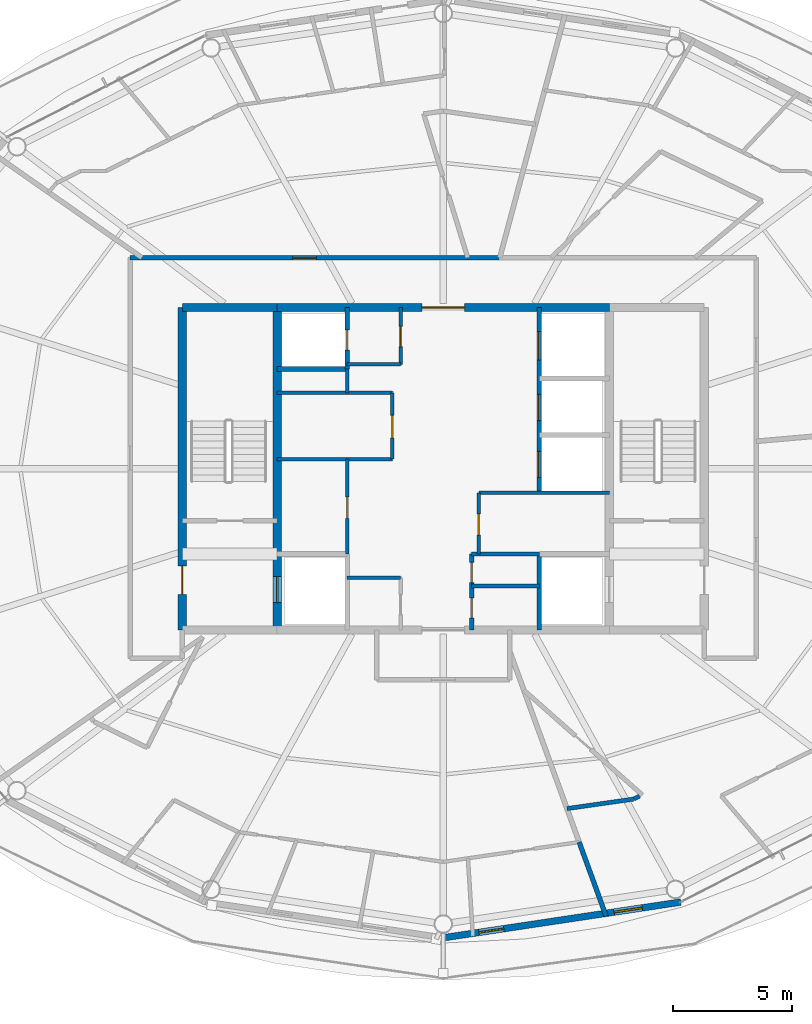
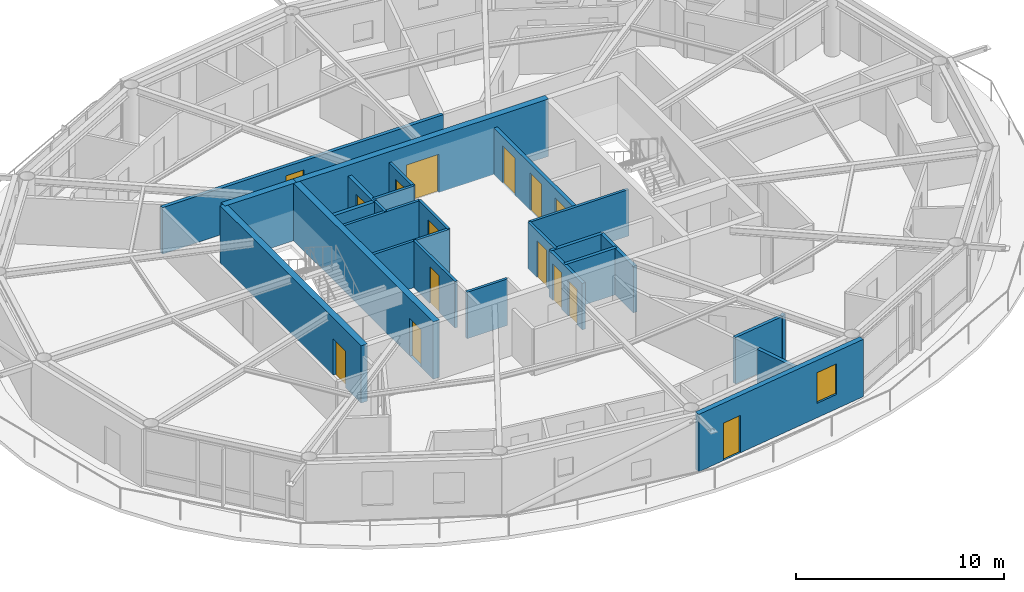
# One storey, part 17 of 23: 26 walls, 15 doors, 1 window, 16 openings.
"""IFC4 building model written with IfcOpenShell, lengths in metres."""

from ifc_helpers import new_model, si_unit, direction, frame, frame_2d, origin, place, context, subcontext, project, spatial, rectangle, extrude, material, layer, layer_set, type_object, element, fill, save


model = new_model("IFC4")

# Units and contexts
model_context = context("Model", 3, precision=1e-05, world=origin(), true_north=direction((0.0, 1.0)))
body_context = subcontext(model_context, "Body", "Model", "MODEL_VIEW")
ifc_project = project(units=[si_unit("LENGTHUNIT", "METRE"), si_unit("AREAUNIT", "SQUARE_METRE"), si_unit("VOLUMEUNIT", "CUBIC_METRE"), si_unit("PLANEANGLEUNIT", "RADIAN"), si_unit("MASSUNIT", "GRAM", prefix="KILO")], contexts=[model_context])

# Site, building, storey
site_placement = place(None, origin())
site = spatial("IfcSite", under=ifc_project, at=site_placement, CompositionType="ELEMENT")
building_placement = place(site_placement, origin())
building = spatial("IfcBuilding", under=site, at=building_placement, Name="Sarneth Arch Tower", CompositionType="ELEMENT")
storey_placement = place(building_placement, frame((0.0, 0.0, 280.199951171875)))
storey = spatial("IfcBuildingStorey", under=building, at=storey_placement, Name="L72", CompositionType="ELEMENT", Elevation=280.199951171875)

# Wall
ifc_material_1 = material(Name="Concrete C50/60", Category="concrete")
ifc_layer_1 = layer(ifc_material_1, 0.35009765625)
ifc_layer_set_1 = layer_set([ifc_layer_1], Name="Concrete C50/60")
wall_type_1 = type_object("IfcWallType", Name="WALL-CORE-350", PredefinedType="SHEAR", material=ifc_layer_set_1)
wall_1_placement = place(storey_placement, frame((37.0, 48.800048828125, 0.0), z_axis=(0.0, 0.0, 1.0), x_axis=(1.0, 0.0, 0.0)))
element("IfcWall", 1, at=wall_1_placement, inside=storey, type_object=wall_type_1, Name="L72 Core shear wall N-W", PredefinedType="SHEAR", context=body_context, shape_type="SweptSolid", body=[
    extrude(rectangle(XDim=4.0, YDim=0.35009765625, at=frame_2d((2.0, 0.0))), origin(), (0.0, 0.0, 1.0), 3.3701171875),
])

# Wall, opening, door
wall_2_placement = place(storey_placement, frame((41.0, 48.800048828125, 0.0), z_axis=(0.0, 0.0, 1.0), x_axis=(1.0, 0.0, 0.0)))
wall_2 = element("IfcWall", 2, at=wall_2_placement, inside=storey, type_object=wall_type_1, Name="L72 Core shear wall N-M", PredefinedType="SHEAR", context=body_context, shape_type="SweptSolid", body=[
    extrude(rectangle(XDim=14.0, YDim=0.35009765625, at=frame_2d((7.0, 0.0))), origin(), (0.0, 0.0, 1.0), 3.3701171875),
])
opening_1_placement = place(wall_2_placement, frame((6.10009765625, 0.0, 0.0)))
opening_1 = element("IfcOpeningElement", 3, at=opening_1_placement, cuts=wall_2, Name="Opening FD-01", PredefinedType="OPENING", context=body_context, shape_type="SweptSolid", body=[
    extrude(rectangle(XDim=1.800048828125, YDim=2.25, at=frame_2d((0.89990234375, 1.125))), frame((0.0, 0.18505859375, 0.0), z_axis=(0.0, -1.0, 0.0), x_axis=(1.0, 0.0, 0.0)), (0.0, 0.0, 1.0), 0.3701171875),
])
ifc_material_2 = material(Name="Galvanised Steel S275 fire door set", Category="steel")
door_type_1 = type_object("IfcDoorType", Name="DR-FD90-1800", OperationType="DOUBLE_DOOR_SINGLE_SWING", PredefinedType="DOOR", material=ifc_material_2)
door_1_placement = place(opening_1_placement, origin())
door_1 = element("IfcDoor", 4, at=door_1_placement, inside=storey, type_object=door_type_1, Name="L72 Central lift lobby north door", OperationType="DOUBLE_DOOR_SINGLE_SWING", OverallHeight=2.25, OverallWidth=1.800048828125, PredefinedType="DOOR", context=body_context, shape_type="SweptSolid", body=[
    extrude(rectangle(XDim=1.800048828125, YDim=2.25, at=frame_2d((0.89990234375, 1.125))), frame((0.0, 0.02490234375, 0.0), z_axis=(0.0, -1.0, 0.0), x_axis=(1.0, 0.0, 0.0)), (0.0, 0.0, 1.0), 0.050048828125),
])
fill(opening_1, door_1)

wall_3_placement = place(storey_placement, frame((37.0, 35.199951171875, 0.0), z_axis=(0.0, 0.0, 1.0), x_axis=(0.0, 1.0, 0.0)))
wall_3 = element("IfcWall", 5, at=wall_3_placement, inside=storey, type_object=wall_type_1, Name="L72 Core shear wall W", PredefinedType="SHEAR", context=body_context, shape_type="SweptSolid", body=[
    extrude(rectangle(XDim=13.60009765625, YDim=0.35009765625, at=frame_2d((6.800048828125, 0.0))), origin(), (0.0, 0.0, 1.0), 3.3701171875),
])
opening_2_placement = place(wall_3_placement, frame((1.5, 0.0, 0.0)))
opening_2 = element("IfcOpeningElement", 6, at=opening_2_placement, cuts=wall_3, Name="Opening FD-02", PredefinedType="OPENING", context=body_context, shape_type="SweptSolid", body=[
    extrude(rectangle(XDim=1.199951171875, YDim=2.14990234375, at=frame_2d((0.60009765625, 1.074951171875))), frame((0.0, 0.18505859375, 0.0), z_axis=(0.0, -1.0, 0.0), x_axis=(1.0, 0.0, 0.0)), (0.0, 0.0, 1.0), 0.3701171875),
])
ifc_material_3 = material(Name="Galvanised Steel S275 fire door set", Category="steel")
door_type_2 = type_object("IfcDoorType", Name="DR-FD90-1200", OperationType="SINGLE_SWING_LEFT", PredefinedType="DOOR", material=ifc_material_3)
door_2_placement = place(opening_2_placement, origin())
door_2 = element("IfcDoor", 7, at=door_2_placement, inside=storey, type_object=door_type_2, Name="L72 Firefighting lobby 1 exit door", OperationType="SINGLE_SWING_LEFT", OverallHeight=2.14990234375, OverallWidth=1.199951171875, PredefinedType="DOOR", context=body_context, shape_type="SweptSolid", body=[
    extrude(rectangle(XDim=1.199951171875, YDim=2.14990234375, at=frame_2d((0.60009765625, 1.074951171875))), frame((0.0, 0.02490234375, 0.0), z_axis=(0.0, -1.0, 0.0), x_axis=(1.0, 0.0, 0.0)), (0.0, 0.0, 1.0), 0.050048828125),
])
fill(opening_2, door_2)

wall_4_placement = place(storey_placement, frame((41.0, 35.199951171875, 0.0), z_axis=(0.0, 0.0, 1.0), x_axis=(0.0, 1.0, 0.0)))
wall_4 = element("IfcWall", 8, at=wall_4_placement, inside=storey, type_object=wall_type_1, Name="L72 Core shear wall WEB-W", PredefinedType="SHEAR", context=body_context, shape_type="SweptSolid", body=[
    extrude(rectangle(XDim=13.60009765625, YDim=0.35009765625, at=frame_2d((6.800048828125, 0.0))), origin(), (0.0, 0.0, 1.0), 3.3701171875),
])
opening_3_placement = place(wall_4_placement, frame((1.14990234375, 0.0, 0.0)))
opening_3 = element("IfcOpeningElement", 9, at=opening_3_placement, cuts=wall_4, Name="Opening LD-1", PredefinedType="OPENING", context=body_context, shape_type="SweptSolid", body=[
    extrude(rectangle(XDim=1.10009765625, YDim=2.199951171875, at=frame_2d((0.550048828125, 1.10009765625))), frame((0.0, 0.18505859375, 0.0), z_axis=(0.0, -1.0, 0.0), x_axis=(1.0, 0.0, 0.0)), (0.0, 0.0, 1.0), 0.3701171875),
])
ifc_material_4 = material(Name="Brushed Stainless Steel 304 lift landing door", Category="steel")
door_type_3 = type_object("IfcDoorType", Name="DR-LIFT-SLIDE-1100", OperationType="SLIDING_TO_LEFT", PredefinedType="DOOR", material=ifc_material_4)
door_3_placement = place(opening_3_placement, origin())
door_3 = element("IfcDoor", 10, at=door_3_placement, inside=storey, type_object=door_type_3, Name="L72 Firefighting lift landing door FL-1", OperationType="SLIDING_TO_LEFT", OverallHeight=2.199951171875, OverallWidth=1.10009765625, PredefinedType="DOOR", context=body_context, shape_type="SweptSolid", body=[
    extrude(rectangle(XDim=1.10009765625, YDim=2.199951171875, at=frame_2d((0.550048828125, 1.10009765625))), frame((0.0, 0.02490234375, 0.0), z_axis=(0.0, -1.0, 0.0), x_axis=(1.0, 0.0, 0.0)), (0.0, 0.0, 1.0), 0.050048828125),
])
fill(opening_3, door_3)

ifc_material_5 = material(Name="Double steel-stud corridor fire wall", Category="steel")
ifc_layer_2 = layer(ifc_material_5, 0.18994140625)
ifc_layer_set_2 = layer_set([ifc_layer_2], Name="Double steel-stud corridor fire wall")
wall_type_2 = type_object("IfcWallType", Name="WALL-CORR-190", PredefinedType="PARTITIONING", material=ifc_layer_set_2)
wall_5_placement = place(storey_placement, frame((34.800048828125, 50.89990234375, 0.0), z_axis=(0.0, 0.0, 1.0), x_axis=(1.0, 0.0, 0.0)))
wall_5 = element("IfcWall", 11, at=wall_5_placement, inside=storey, type_object=wall_type_2, Name="L72 Interior partition W-L72-TP-005", PredefinedType="PARTITIONING", context=body_context, shape_type="SweptSolid", body=[
    extrude(rectangle(XDim=15.61767578125, YDim=0.18994140625, at=frame_2d((7.808837890625, 0.0))), origin(), (0.0, 0.0, 1.0), 2.72998046875),
])
opening_4_placement = place(wall_5_placement, frame((6.848388671875, 0.0, 0.0)))
opening_4 = element("IfcOpeningElement", 12, at=opening_4_placement, cuts=wall_5, Name="Opening FD-08", PredefinedType="OPENING", context=body_context, shape_type="SweptSolid", body=[
    extrude(rectangle(XDim=1.0, YDim=2.199951171875, at=frame_2d((0.5, 1.10009765625))), frame((0.0, 0.10498046875, 0.0), z_axis=(0.0, -1.0, 0.0), x_axis=(1.0, 0.0, 0.0)), (0.0, 0.0, 1.0), 0.2099609375),
])
ifc_material_6 = material(Name="Hardwood timber acoustic fire door", Category="wood")
door_type_4 = type_object("IfcDoorType", Name="DR-FD60-1000", OperationType="SINGLE_SWING_LEFT", PredefinedType="DOOR", material=ifc_material_6)
door_4_placement = place(opening_4_placement, origin())
door_4 = element("IfcDoor", 13, at=door_4_placement, inside=storey, type_object=door_type_4, Name="L72 Interior door DR-L72-U2-ENT", OperationType="SINGLE_SWING_LEFT", OverallHeight=2.199951171875, OverallWidth=1.0, PredefinedType="DOOR", context=body_context, shape_type="SweptSolid", body=[
    extrude(rectangle(XDim=1.0, YDim=2.199951171875, at=frame_2d((0.5, 1.10009765625))), frame((0.0, 0.02490234375, 0.0), z_axis=(0.0, -1.0, 0.0), x_axis=(1.0, 0.0, 0.0)), (0.0, 0.0, 1.0), 0.050048828125),
])
fill(opening_4, door_4)

# Wall, openings, door, window
ifc_material_7 = material(Name="Extruded terracotta rainscreen on Concrete C40/50 backing", Category="masonry")
ifc_layer_3 = layer(ifc_material_7, 0.280029296875)
ifc_layer_set_3 = layer_set([ifc_layer_3], Name="Extruded terracotta rainscreen on Concrete C40/50 backing")
wall_type_3 = type_object("IfcWallType", Name="WALL-EXT-TERRA-280", PredefinedType="SOLIDWALL", material=ifc_layer_set_3)
wall_6_placement = place(storey_placement, frame((48.0, 22.219970703125, 0.0), z_axis=(0.0, 0.0, 1.0), x_axis=(0.988882522213, 0.148698881169, 0.0)))
wall_6 = element("IfcWall", 14, at=wall_6_placement, inside=storey, type_object=wall_type_3, Name="L72 Terracotta perimeter wall 13", PredefinedType="SOLIDWALL", context=body_context, shape_type="SweptSolid", body=[
    extrude(rectangle(XDim=10.125244140625, YDim=0.280029296875, at=frame_2d((5.0625, 0.0))), origin(), (0.0, 0.0, 1.0), 3.3701171875),
])
opening_5_placement = place(wall_6_placement, frame((1.5244140625, 0.0, 0.0)))
opening_5 = element("IfcOpeningElement", 15, at=opening_5_placement, cuts=wall_6, Name="Opening BD-4", PredefinedType="OPENING", context=body_context, shape_type="SweptSolid", body=[
    extrude(rectangle(XDim=1.050048828125, YDim=2.199951171875, at=frame_2d((0.52490234375, 1.10009765625))), frame((0.0, 0.14990234375, 0.0), z_axis=(0.0, -1.0, 0.0), x_axis=(1.0, 0.0, 0.0)), (0.0, 0.0, 1.0), 0.300048828125),
])
opening_6_placement = place(wall_6_placement, frame((7.281005859375, 0.0, 0.85009765625)))
opening_6 = element("IfcOpeningElement", 16, at=opening_6_placement, cuts=wall_6, Name="Opening W-09", PredefinedType="OPENING", context=body_context, shape_type="SweptSolid", body=[
    extrude(rectangle(XDim=1.199951171875, YDim=1.800048828125, at=frame_2d((0.60009765625, 0.89990234375))), frame((0.0, 0.14990234375, 0.0), z_axis=(0.0, -1.0, 0.0), x_axis=(1.0, 0.0, 0.0)), (0.0, 0.0, 1.0), 0.300048828125),
])
ifc_material_8 = material(Name="Thermally broken Aluminium 6063-T6 and laminated safety glass", Category="aluminium")
door_type_5 = type_object("IfcDoorType", Name="DR-BALC-GLZ-1050", OperationType="SINGLE_SWING_RIGHT", PredefinedType="DOOR", material=ifc_material_8)
door_5_placement = place(opening_5_placement, origin())
door_5 = element("IfcDoor", 17, at=door_5_placement, inside=storey, type_object=door_type_5, Name="L72 Balcony glazed door 13", OperationType="SINGLE_SWING_RIGHT", OverallHeight=2.199951171875, OverallWidth=1.050048828125, PredefinedType="DOOR", context=body_context, shape_type="SweptSolid", body=[
    extrude(rectangle(XDim=1.050048828125, YDim=2.199951171875, at=frame_2d((0.52490234375, 1.10009765625))), frame((0.0, 0.02490234375, 0.0), z_axis=(0.0, -1.0, 0.0), x_axis=(1.0, 0.0, 0.0)), (0.0, 0.0, 1.0), 0.050048828125),
])
fill(opening_5, door_5)
ifc_material_9 = material(Name="Thermally broken Aluminium 6063-T6 and low-e laminated IGU", Category="aluminium")
window_type = type_object("IfcWindowType", Name="WIN-TWR-1200x1800", PartitioningType="SINGLE_PANEL", PredefinedType="WINDOW", material=ifc_material_9)
window_placement = place(opening_6_placement, origin())
window = element("IfcWindow", 18, at=window_placement, inside=storey, type_object=window_type, Name="L72 Exterior window 13A", OverallHeight=1.800048828125, OverallWidth=1.199951171875, PartitioningType="SINGLE_PANEL", PredefinedType="WINDOW", context=body_context, shape_type="SweptSolid", body=[
    extrude(rectangle(XDim=1.199951171875, YDim=1.800048828125, at=frame_2d((0.60009765625, 0.89990234375))), frame((0.0, 0.030029296875, 0.0), z_axis=(0.0, -1.0, 0.0), x_axis=(1.0, 0.0, 0.0)), (0.0, 0.0, 1.0), 0.06005859375),
])
fill(opening_6, window)

# Wall, opening, door
ifc_material_10 = material(Name="Acoustic gypsum stud partition", Category="gypsum")
ifc_layer_4 = layer(ifc_material_10, 0.14990234375)
ifc_layer_set_4 = layer_set([ifc_layer_4], Name="Acoustic gypsum stud partition")
wall_type_4 = type_object("IfcWallType", Name="WALL-PART-150", PredefinedType="PARTITIONING", material=ifc_layer_set_4)
wall_7_placement = place(storey_placement, frame((43.949951171875, 38.39990234375, 0.0), z_axis=(0.0, 0.0, 1.0), x_axis=(0.0, 1.0, 0.0)))
wall_7 = element("IfcWall", 19, at=wall_7_placement, inside=storey, type_object=wall_type_4, Name="L72 Interior partition W-L72-RECPL-E", PredefinedType="PARTITIONING", context=body_context, shape_type="SweptSolid", body=[
    extrude(rectangle(XDim=4.0, YDim=0.14990234375, at=frame_2d((2.0, 0.0))), origin(), (0.0, 0.0, 1.0), 2.72998046875),
])
opening_7_placement = place(wall_7_placement, frame((1.5, 0.0, 0.0)))
opening_7 = element("IfcOpeningElement", 20, at=opening_7_placement, cuts=wall_7, Name="Opening FD-10", PredefinedType="OPENING", context=body_context, shape_type="SweptSolid", body=[
    extrude(rectangle(XDim=0.89990234375, YDim=2.14990234375, at=frame_2d((0.449951171875, 1.074951171875))), frame((0.0, 0.0849609375, 0.0), z_axis=(0.0, -1.0, 0.0), x_axis=(1.0, 0.0, 0.0)), (0.0, 0.0, 1.0), 0.169921875),
])
ifc_material_11 = material(Name="Galvanised Steel S275 riser/service fire door", Category="steel")
door_type_6 = type_object("IfcDoorType", Name="DR-FD60-900", OperationType="SINGLE_SWING_LEFT", PredefinedType="DOOR", material=ifc_material_11)
door_6_placement = place(opening_7_placement, origin())
door_6 = element("IfcDoor", 21, at=door_6_placement, inside=storey, type_object=door_type_6, Name="L72 Interior door DR-L72-RECPL", OperationType="SINGLE_SWING_LEFT", OverallHeight=2.14990234375, OverallWidth=0.89990234375, PredefinedType="DOOR", context=body_context, shape_type="SweptSolid", body=[
    extrude(rectangle(XDim=0.89990234375, YDim=2.14990234375, at=frame_2d((0.449951171875, 1.074951171875))), frame((0.0, 0.02490234375, 0.0), z_axis=(0.0, -1.0, 0.0), x_axis=(1.0, 0.0, 0.0)), (0.0, 0.0, 1.0), 0.050048828125),
])
fill(opening_7, door_6)

# Walls
for number, where, z_axis, x_axis, name in (
    (22, (41.0, 42.39990234375, 0.0), (0.0, 0.0, 1.0), (1.0, 0.0, 0.0), "L72 Interior partition W-L72-RECPM1-S"),
    (23, (41.0, 45.199951171875, 0.0), (0.0, 0.0, 1.0), (1.0, 0.0, 0.0), "L72 Interior partition W-L72-RECPM1-N"),
):
    element("IfcWall", number, at=place(storey_placement, frame(where, z_axis=z_axis, x_axis=x_axis)), inside=storey, type_object=wall_type_4, Name=name, PredefinedType="PARTITIONING", context=body_context, shape_type="SweptSolid", body=[
        extrude(rectangle(XDim=4.85009765625, YDim=0.14990234375, at=frame_2d((2.425048828125, 0.0))), origin(), (0.0, 0.0, 1.0), 2.72998046875),
    ])
wall_8_placement = place(storey_placement, frame((43.949951171875, 45.199951171875, 0.0), z_axis=(0.0, 0.0, 1.0), x_axis=(0.0, 1.0, 0.0)))
element("IfcWall", 24, at=wall_8_placement, inside=storey, type_object=wall_type_4, Name="L72 Interior partition W-L72-RECPM1-W2", PredefinedType="PARTITIONING", context=body_context, shape_type="SweptSolid", body=[
    extrude(rectangle(XDim=1.0, YDim=0.14990234375, at=frame_2d((0.5, 0.0))), origin(), (0.0, 0.0, 1.0), 2.72998046875),
])

# Wall, opening, door
wall_9_placement = place(storey_placement, frame((45.85009765625, 42.39990234375, 0.0), z_axis=(0.0, 0.0, 1.0), x_axis=(0.0, 1.0, 0.0)))
wall_9 = element("IfcWall", 25, at=wall_9_placement, inside=storey, type_object=wall_type_4, Name="L72 Interior partition W-L72-RECPM1-E", PredefinedType="PARTITIONING", context=body_context, shape_type="SweptSolid", body=[
    extrude(rectangle(XDim=2.800048828125, YDim=0.14990234375, at=frame_2d((1.39990234375, 0.0))), origin(), (0.0, 0.0, 1.0), 2.72998046875),
])
opening_8_placement = place(wall_9_placement, frame((0.89990234375, 0.0, 0.0)))
opening_8 = element("IfcOpeningElement", 26, at=opening_8_placement, cuts=wall_9, Name="Opening FD-09", PredefinedType="OPENING", context=body_context, shape_type="SweptSolid", body=[
    extrude(rectangle(XDim=0.949951171875, YDim=2.14990234375, at=frame_2d((0.47509765625, 1.074951171875))), frame((0.0, 0.0849609375, 0.0), z_axis=(0.0, -1.0, 0.0), x_axis=(1.0, 0.0, 0.0)), (0.0, 0.0, 1.0), 0.169921875),
])
ifc_material_12 = material(Name="Hardwood timber hotel entrance fire door", Category="wood")
door_type_7 = type_object("IfcDoorType", Name="DR-FD60-950", OperationType="SINGLE_SWING_RIGHT", PredefinedType="DOOR", material=ifc_material_12)
door_7_placement = place(opening_8_placement, origin())
door_7 = element("IfcDoor", 27, at=door_7_placement, inside=storey, type_object=door_type_7, Name="L72 Interior door DR-L72-RECPM1", OperationType="SINGLE_SWING_RIGHT", OverallHeight=2.14990234375, OverallWidth=0.949951171875, PredefinedType="DOOR", context=body_context, shape_type="SweptSolid", body=[
    extrude(rectangle(XDim=0.949951171875, YDim=2.14990234375, at=frame_2d((0.47509765625, 1.074951171875))), frame((0.0, 0.02490234375, 0.0), z_axis=(0.0, -1.0, 0.0), x_axis=(1.0, 0.0, 0.0)), (0.0, 0.0, 1.0), 0.050048828125),
])
fill(opening_8, door_7)

# Wall
wall_10_placement = place(storey_placement, frame((49.5, 40.97998046875, 0.0), z_axis=(0.0, 0.0, 1.0), x_axis=(1.0, 0.0, 0.0)))
element("IfcWall", 28, at=wall_10_placement, inside=storey, type_object=wall_type_4, Name="L72 Interior partition W-L72-RECPM2-N", PredefinedType="PARTITIONING", context=body_context, shape_type="SweptSolid", body=[
    extrude(rectangle(XDim=5.5, YDim=0.14990234375, at=frame_2d((2.75, 0.0))), origin(), (0.0, 0.0, 1.0), 2.72998046875),
])

# Wall, opening, door
wall_11_placement = place(storey_placement, frame((49.5, 38.39990234375, 0.0), z_axis=(0.0, 0.0, 1.0), x_axis=(0.0, 1.0, 0.0)))
wall_11 = element("IfcWall", 29, at=wall_11_placement, inside=storey, type_object=wall_type_4, Name="L72 Interior partition W-L72-RECPM2-W", PredefinedType="PARTITIONING", context=body_context, shape_type="SweptSolid", body=[
    extrude(rectangle(XDim=2.580078125, YDim=0.14990234375, at=frame_2d((1.2900390625, 0.0))), origin(), (0.0, 0.0, 1.0), 2.72998046875),
])
opening_9_placement = place(wall_11_placement, frame((0.800048828125, 0.0, 0.0)))
opening_9 = element("IfcOpeningElement", 30, at=opening_9_placement, cuts=wall_11, Name="Opening FD-10", PredefinedType="OPENING", context=body_context, shape_type="SweptSolid", body=[
    extrude(rectangle(XDim=0.89990234375, YDim=2.14990234375, at=frame_2d((0.449951171875, 1.074951171875))), frame((0.0, 0.0849609375, 0.0), z_axis=(0.0, -1.0, 0.0), x_axis=(1.0, 0.0, 0.0)), (0.0, 0.0, 1.0), 0.169921875),
])
door_8_placement = place(opening_9_placement, origin())
door_8 = element("IfcDoor", 31, at=door_8_placement, inside=storey, type_object=door_type_6, Name="L72 Interior door DR-L72-RECPM2", OperationType="SINGLE_SWING_LEFT", OverallHeight=2.14990234375, OverallWidth=0.89990234375, PredefinedType="DOOR", context=body_context, shape_type="SweptSolid", body=[
    extrude(rectangle(XDim=0.89990234375, YDim=2.14990234375, at=frame_2d((0.449951171875, 1.074951171875))), frame((0.0, 0.02490234375, 0.0), z_axis=(0.0, -1.0, 0.0), x_axis=(1.0, 0.0, 0.0)), (0.0, 0.0, 1.0), 0.050048828125),
])
fill(opening_9, door_8)

# Walls
for number, where, z_axis, x_axis, name in (
    (32, (43.949951171875, 37.39990234375, 0.0), (0.0, 0.0, 1.0), (1.0, 0.0, 0.0), "L72 Interior partition W-L72-CSUP1-N"),
    (33, (43.949951171875, 46.39990234375, 0.0), (0.0, 0.0, 1.0), (1.0, 0.0, 0.0), "L72 Interior partition W-L72-CSUP2-S"),
):
    element("IfcWall", number, at=place(storey_placement, frame(where, z_axis=z_axis, x_axis=x_axis)), inside=storey, type_object=wall_type_4, Name=name, PredefinedType="PARTITIONING", context=body_context, shape_type="SweptSolid", body=[
        extrude(rectangle(XDim=2.25, YDim=0.14990234375, at=frame_2d((1.125, 0.0))), origin(), (0.0, 0.0, 1.0), 2.72998046875),
    ])

# Wall, opening, door
wall_12_placement = place(storey_placement, frame((46.199951171875, 46.39990234375, 0.0), z_axis=(0.0, 0.0, 1.0), x_axis=(0.0, 1.0, 0.0)))
wall_12 = element("IfcWall", 34, at=wall_12_placement, inside=storey, type_object=wall_type_4, Name="L72 Interior partition W-L72-CSUP2-E", PredefinedType="PARTITIONING", context=body_context, shape_type="SweptSolid", body=[
    extrude(rectangle(XDim=2.400146484375, YDim=0.14990234375, at=frame_2d((1.2001953125, 0.0))), origin(), (0.0, 0.0, 1.0), 2.72998046875),
])
opening_10_placement = place(wall_12_placement, frame((0.75, 0.0, 0.0)))
opening_10 = element("IfcOpeningElement", 35, at=opening_10_placement, cuts=wall_12, Name="Opening FD-11", PredefinedType="OPENING", context=body_context, shape_type="SweptSolid", body=[
    extrude(rectangle(XDim=0.85009765625, YDim=2.14990234375, at=frame_2d((0.425048828125, 1.074951171875))), frame((0.0, 0.0849609375, 0.0), z_axis=(0.0, -1.0, 0.0), x_axis=(1.0, 0.0, 0.0)), (0.0, 0.0, 1.0), 0.169921875),
])
ifc_material_13 = material(Name="Galvanised Steel S275 closet fire door", Category="steel")
door_type_8 = type_object("IfcDoorType", Name="DR-FD60-850", OperationType="SINGLE_SWING_LEFT", PredefinedType="DOOR", material=ifc_material_13)
door_9_placement = place(opening_10_placement, origin())
door_9 = element("IfcDoor", 36, at=door_9_placement, inside=storey, type_object=door_type_8, Name="L72 Interior door DR-L72-CSUP2", OperationType="SINGLE_SWING_RIGHT", OverallHeight=2.14990234375, OverallWidth=0.85009765625, PredefinedType="DOOR", context=body_context, shape_type="SweptSolid", body=[
    extrude(rectangle(XDim=0.85009765625, YDim=2.14990234375, at=frame_2d((0.425048828125, 1.074951171875))), frame((0.0, 0.02490234375, 0.0), z_axis=(0.0, -1.0, 0.0), x_axis=(1.0, 0.0, 0.0)), (0.0, 0.0, 1.0), 0.050048828125),
])
fill(opening_10, door_9)

# Walls
ifc_material_14 = material(Name="Moisture-resistant plumbing chase wall", Category="gypsum")
ifc_layer_5 = layer(ifc_material_14, 0.179931640625)
ifc_layer_set_5 = layer_set([ifc_layer_5], Name="Moisture-resistant plumbing chase wall")
wall_type_5 = type_object("IfcWallType", Name="WALL-PLUMB-180", PredefinedType="PLUMBINGWALL", material=ifc_layer_set_5)
for number, where, z_axis, x_axis, name in (
    (37, (49.199951171875, 37.050048828125, 0.0), (0.0, 0.0, 1.0), (1.0, 0.0, 0.0), "L72 Interior partition W-L72-AWC-M"),
    (38, (49.199951171875, 38.39990234375, 0.0), (0.0, 0.0, 1.0), (1.0, 0.0, 0.0), "L72 Interior partition W-L72-AWC-N"),
):
    element("IfcWall", number, at=place(storey_placement, frame(where, z_axis=z_axis, x_axis=x_axis)), inside=storey, type_object=wall_type_5, Name=name, PredefinedType="PLUMBINGWALL", context=body_context, shape_type="SweptSolid", body=[
        extrude(rectangle(XDim=2.85009765625, YDim=0.179931640625, at=frame_2d((1.425048828125, 0.0))), origin(), (0.0, 0.0, 1.0), 2.72998046875),
    ])

# Wall, openings, doors
wall_13_placement = place(storey_placement, frame((49.199951171875, 35.199951171875, 0.0), z_axis=(0.0, 0.0, 1.0), x_axis=(0.0, 1.0, 0.0)))
wall_13 = element("IfcWall", 39, at=wall_13_placement, inside=storey, type_object=wall_type_5, Name="L72 Interior partition W-L72-AWC-W", PredefinedType="PLUMBINGWALL", context=body_context, shape_type="SweptSolid", body=[
    extrude(rectangle(XDim=3.199951171875, YDim=0.179931640625, at=frame_2d((1.60009765625, 0.0))), origin(), (0.0, 0.0, 1.0), 2.72998046875),
])
opening_11_placement = place(wall_13_placement, frame((0.5, 0.0, 0.0)))
opening_11 = element("IfcOpeningElement", 40, at=opening_11_placement, cuts=wall_13, Name="Opening ID-02", PredefinedType="OPENING", context=body_context, shape_type="SweptSolid", body=[
    extrude(rectangle(XDim=0.85009765625, YDim=2.10009765625, at=frame_2d((0.425048828125, 1.050048828125))), frame((0.0, 0.099853515625, 0.0), z_axis=(0.0, -1.0, 0.0), x_axis=(1.0, 0.0, 0.0)), (0.0, 0.0, 1.0), 0.199951171875),
])
opening_12_placement = place(wall_13_placement, frame((2.0, 0.0, 0.0)))
opening_12 = element("IfcOpeningElement", 41, at=opening_12_placement, cuts=wall_13, Name="Opening FD-11", PredefinedType="OPENING", context=body_context, shape_type="SweptSolid", body=[
    extrude(rectangle(XDim=0.85009765625, YDim=2.14990234375, at=frame_2d((0.425048828125, 1.074951171875))), frame((0.0, 0.099853515625, 0.0), z_axis=(0.0, -1.0, 0.0), x_axis=(1.0, 0.0, 0.0)), (0.0, 0.0, 1.0), 0.199951171875),
])
door_10_placement = place(opening_12_placement, origin())
door_10 = element("IfcDoor", 42, at=door_10_placement, inside=storey, type_object=door_type_8, Name="L72 Interior door DR-L72-CSUP3", OperationType="SINGLE_SWING_LEFT", OverallHeight=2.14990234375, OverallWidth=0.85009765625, PredefinedType="DOOR", context=body_context, shape_type="SweptSolid", body=[
    extrude(rectangle(XDim=0.85009765625, YDim=2.14990234375, at=frame_2d((0.425048828125, 1.074951171875))), frame((0.0, 0.02490234375, 0.0), z_axis=(0.0, -1.0, 0.0), x_axis=(1.0, 0.0, 0.0)), (0.0, 0.0, 1.0), 0.050048828125),
])
fill(opening_12, door_10)
ifc_material_15 = material(Name="Moisture-resistant bathroom timber door", Category="wood")
door_type_9 = type_object("IfcDoorType", Name="DR-INT-850", OperationType="SINGLE_SWING_RIGHT", PredefinedType="DOOR", material=ifc_material_15)
door_11_placement = place(opening_11_placement, origin())
door_11 = element("IfcDoor", 43, at=door_11_placement, inside=storey, type_object=door_type_9, Name="L72 Interior door DR-L72-AWC", OperationType="SINGLE_SWING_RIGHT", OverallHeight=2.10009765625, OverallWidth=0.85009765625, PredefinedType="DOOR", context=body_context, shape_type="SweptSolid", body=[
    extrude(rectangle(XDim=0.85009765625, YDim=2.10009765625, at=frame_2d((0.425048828125, 1.050048828125))), frame((0.0, 0.02490234375, 0.0), z_axis=(0.0, -1.0, 0.0), x_axis=(1.0, 0.0, 0.0)), (0.0, 0.0, 1.0), 0.050048828125),
])
fill(opening_11, door_11)

# Walls
wall_14_placement = place(storey_placement, frame((53.217041015625, 27.666259765625, 0.0), z_axis=(0.0, 0.0, 1.0), x_axis=(0.989918473044, 0.141638330709, 0.0)))
element("IfcWall", 44, at=wall_14_placement, inside=storey, type_object=wall_type_5, Name="L72 Interior partition W-L72-TP-083", PredefinedType="PLUMBINGWALL", context=body_context, shape_type="SweptSolid", body=[
    extrude(rectangle(XDim=2.83544921875, YDim=0.179931640625, at=frame_2d((1.417724609375, 0.0))), origin(), (0.0, 0.0, 1.0), 2.72998046875),
])
wall_15_placement = place(storey_placement, frame((56.038330078125, 28.074951171875, 0.0), z_axis=(0.0, 0.0, 1.0), x_axis=(0.899071871525, 0.437801061937, 0.0)))
element("IfcWall", 45, at=wall_15_placement, inside=storey, type_object=wall_type_5, Name="L72 Interior partition W-L72-TP-084", PredefinedType="PLUMBINGWALL", context=body_context, shape_type="SweptSolid", body=[
    extrude(rectangle(XDim=0.2705078125, YDim=0.179931640625, at=frame_2d((0.13525390625, 0.0))), origin(), (0.0, 0.0, 1.0), 2.72998046875),
])
ifc_material_16 = material(Name="Aerated concrete blockwork C25/30", Category="masonry")
ifc_layer_6 = layer(ifc_material_16, 0.199951171875)
ifc_layer_set_6 = layer_set([ifc_layer_6], Name="Aerated concrete blockwork C25/30")
wall_type_6 = type_object("IfcWallType", Name="WALL-SHAFT-200", PredefinedType="SOLIDWALL", material=ifc_layer_set_6)
wall_16_placement = place(storey_placement, frame((52.050048828125, 35.199951171875, 0.0), z_axis=(0.0, 0.0, 1.0), x_axis=(0.0, 1.0, 0.0)))
element("IfcWall", 46, at=wall_16_placement, inside=storey, type_object=wall_type_6, Name="L72 Interior partition W-L72-FL2-W", PredefinedType="SOLIDWALL", context=body_context, shape_type="SweptSolid", body=[
    extrude(rectangle(XDim=3.199951171875, YDim=0.199951171875, at=frame_2d((1.60009765625, 0.0))), origin(), (0.0, 0.0, 1.0), 2.72998046875),
])
wall_17_placement = place(storey_placement, frame((41.0, 46.199951171875, 0.0), z_axis=(0.0, 0.0, 1.0), x_axis=(1.0, 0.0, 0.0)))
element("IfcWall", 47, at=wall_17_placement, inside=storey, type_object=wall_type_6, Name="L72 Interior partition W-L72-RISER-S", PredefinedType="SOLIDWALL", context=body_context, shape_type="SweptSolid", body=[
    extrude(rectangle(XDim=2.949951171875, YDim=0.199951171875, at=frame_2d((1.47509765625, 0.0))), origin(), (0.0, 0.0, 1.0), 2.72998046875),
])

# Wall, opening, door
wall_18_placement = place(storey_placement, frame((43.949951171875, 46.199951171875, 0.0), z_axis=(0.0, 0.0, 1.0), x_axis=(0.0, 1.0, 0.0)))
wall_18 = element("IfcWall", 48, at=wall_18_placement, inside=storey, type_object=wall_type_6, Name="L72 Interior partition W-L72-RISER-E", PredefinedType="SOLIDWALL", context=body_context, shape_type="SweptSolid", body=[
    extrude(rectangle(XDim=2.60009765625, YDim=0.199951171875, at=frame_2d((1.300048828125, 0.0))), origin(), (0.0, 0.0, 1.0), 2.72998046875),
])
opening_13_placement = place(wall_18_placement, frame((0.800048828125, 0.0, 0.0)))
opening_13 = element("IfcOpeningElement", 49, at=opening_13_placement, cuts=wall_18, Name="Opening FD-11", PredefinedType="OPENING", context=body_context, shape_type="SweptSolid", body=[
    extrude(rectangle(XDim=0.85009765625, YDim=2.14990234375, at=frame_2d((0.425048828125, 1.074951171875))), frame((0.0, 0.10986328125, 0.0), z_axis=(0.0, -1.0, 0.0), x_axis=(1.0, 0.0, 0.0)), (0.0, 0.0, 1.0), 0.219970703125),
])
door_12_placement = place(opening_13_placement, origin())
door_12 = element("IfcDoor", 50, at=door_12_placement, inside=storey, type_object=door_type_8, Name="L72 Lift landing door DR-L72-RISER", OperationType="SINGLE_SWING_LEFT", OverallHeight=2.14990234375, OverallWidth=0.85009765625, PredefinedType="DOOR", context=body_context, shape_type="SweptSolid", body=[
    extrude(rectangle(XDim=0.85009765625, YDim=2.14990234375, at=frame_2d((0.425048828125, 1.074951171875))), frame((0.0, 0.02490234375, 0.0), z_axis=(0.0, -1.0, 0.0), x_axis=(1.0, 0.0, 0.0)), (0.0, 0.0, 1.0), 0.050048828125),
])
fill(opening_13, door_12)

# Wall, openings, doors
wall_19_placement = place(storey_placement, frame((52.050048828125, 40.97998046875, 0.0), z_axis=(0.0, 0.0, 1.0), x_axis=(0.0, 1.0, 0.0)))
wall_19 = element("IfcWall", 51, at=wall_19_placement, inside=storey, type_object=wall_type_6, Name="L72 Interior partition W-L72-EASTBANK-UPPER", PredefinedType="SOLIDWALL", context=body_context, shape_type="SweptSolid", body=[
    extrude(rectangle(XDim=7.820068359375, YDim=0.199951171875, at=frame_2d((3.91015625, 0.0))), origin(), (0.0, 0.0, 1.0), 2.72998046875),
])
opening_14_placement = place(wall_19_placement, frame((0.64990234375, 0.0, 0.0)))
opening_14 = element("IfcOpeningElement", 52, at=opening_14_placement, cuts=wall_19, Name="Opening LD-1", PredefinedType="OPENING", context=body_context, shape_type="SweptSolid", body=[
    extrude(rectangle(XDim=1.10009765625, YDim=2.199951171875, at=frame_2d((0.550048828125, 1.10009765625))), frame((0.0, 0.10986328125, 0.0), z_axis=(0.0, -1.0, 0.0), x_axis=(1.0, 0.0, 0.0)), (0.0, 0.0, 1.0), 0.219970703125),
])
opening_15_placement = place(wall_19_placement, frame((3.050048828125, 0.0, 0.0)))
opening_15 = element("IfcOpeningElement", 53, at=opening_15_placement, cuts=wall_19, Name="Opening LD-1", PredefinedType="OPENING", context=body_context, shape_type="SweptSolid", body=[
    extrude(rectangle(XDim=1.10009765625, YDim=2.199951171875, at=frame_2d((0.550048828125, 1.10009765625))), frame((0.0, 0.10986328125, 0.0), z_axis=(0.0, -1.0, 0.0), x_axis=(1.0, 0.0, 0.0)), (0.0, 0.0, 1.0), 0.219970703125),
])
opening_16_placement = place(wall_19_placement, frame((5.60009765625, 0.0, 0.0)))
opening_16 = element("IfcOpeningElement", 54, at=opening_16_placement, cuts=wall_19, Name="Opening LD-2", PredefinedType="OPENING", context=body_context, shape_type="SweptSolid", body=[
    extrude(rectangle(XDim=1.199951171875, YDim=2.199951171875, at=frame_2d((0.60009765625, 1.10009765625))), frame((0.0, 0.10986328125, 0.0), z_axis=(0.0, -1.0, 0.0), x_axis=(1.0, 0.0, 0.0)), (0.0, 0.0, 1.0), 0.219970703125),
])
door_13_placement = place(opening_14_placement, origin())
door_13 = element("IfcDoor", 55, at=door_13_placement, inside=storey, type_object=door_type_3, Name="L72 Lift landing door DR-L72-LD-PH1", OperationType="SLIDING_TO_RIGHT", OverallHeight=2.199951171875, OverallWidth=1.10009765625, PredefinedType="DOOR", context=body_context, shape_type="SweptSolid", body=[
    extrude(rectangle(XDim=1.10009765625, YDim=2.199951171875, at=frame_2d((0.550048828125, 1.10009765625))), frame((0.0, 0.02490234375, 0.0), z_axis=(0.0, -1.0, 0.0), x_axis=(1.0, 0.0, 0.0)), (0.0, 0.0, 1.0), 0.050048828125),
])
fill(opening_14, door_13)
door_14_placement = place(opening_15_placement, origin())
door_14 = element("IfcDoor", 56, at=door_14_placement, inside=storey, type_object=door_type_3, Name="L72 Lift landing door DR-L72-LD-PH2", OperationType="SLIDING_TO_LEFT", OverallHeight=2.199951171875, OverallWidth=1.10009765625, PredefinedType="DOOR", context=body_context, shape_type="SweptSolid", body=[
    extrude(rectangle(XDim=1.10009765625, YDim=2.199951171875, at=frame_2d((0.550048828125, 1.10009765625))), frame((0.0, 0.02490234375, 0.0), z_axis=(0.0, -1.0, 0.0), x_axis=(1.0, 0.0, 0.0)), (0.0, 0.0, 1.0), 0.050048828125),
])
fill(opening_15, door_14)
ifc_material_17 = material(Name="Brushed Stainless Steel 304 service lift door", Category="steel")
door_type_10 = type_object("IfcDoorType", Name="DR-LIFT-SLIDE-1200", OperationType="SLIDING_TO_RIGHT", PredefinedType="DOOR", material=ifc_material_17)
door_15_placement = place(opening_16_placement, origin())
door_15 = element("IfcDoor", 57, at=door_15_placement, inside=storey, type_object=door_type_10, Name="L72 Lift landing door DR-L72-LD-SL1", OperationType="SLIDING_TO_RIGHT", OverallHeight=2.199951171875, OverallWidth=1.199951171875, PredefinedType="DOOR", context=body_context, shape_type="SweptSolid", body=[
    extrude(rectangle(XDim=1.199951171875, YDim=2.199951171875, at=frame_2d((0.60009765625, 1.10009765625))), frame((0.0, 0.02490234375, 0.0), z_axis=(0.0, -1.0, 0.0), x_axis=(1.0, 0.0, 0.0)), (0.0, 0.0, 1.0), 0.050048828125),
])
fill(opening_16, door_15)

# Wall
ifc_material_18 = material(Name="Double steel-stud acoustic drywall", Category="steel")
ifc_layer_7 = layer(ifc_material_18, 0.199951171875)
ifc_layer_set_7 = layer_set([ifc_layer_7], Name="Double steel-stud acoustic drywall")
wall_type_7 = type_object("IfcWallType", Name="WALL-UNIT-200", PredefinedType="PARTITIONING", material=ifc_layer_set_7)
wall_20_placement = place(storey_placement, frame((53.73046875, 26.255615234375, 0.0), z_axis=(0.0, 0.0, 1.0), x_axis=(0.341990855898, -0.939703280021, 0.0)))
element("IfcWall", 58, at=wall_20_placement, inside=storey, type_object=wall_type_7, Name="L72 Interior partition W-L72-TP-080", PredefinedType="PARTITIONING", context=body_context, shape_type="SweptSolid", body=[
    extrude(rectangle(XDim=3.322509765625, YDim=0.199951171875, at=frame_2d((1.6611328125, 0.0))), origin(), (0.0, 0.0, 1.0), 2.72998046875),
])

save(model, "model.ifc")
